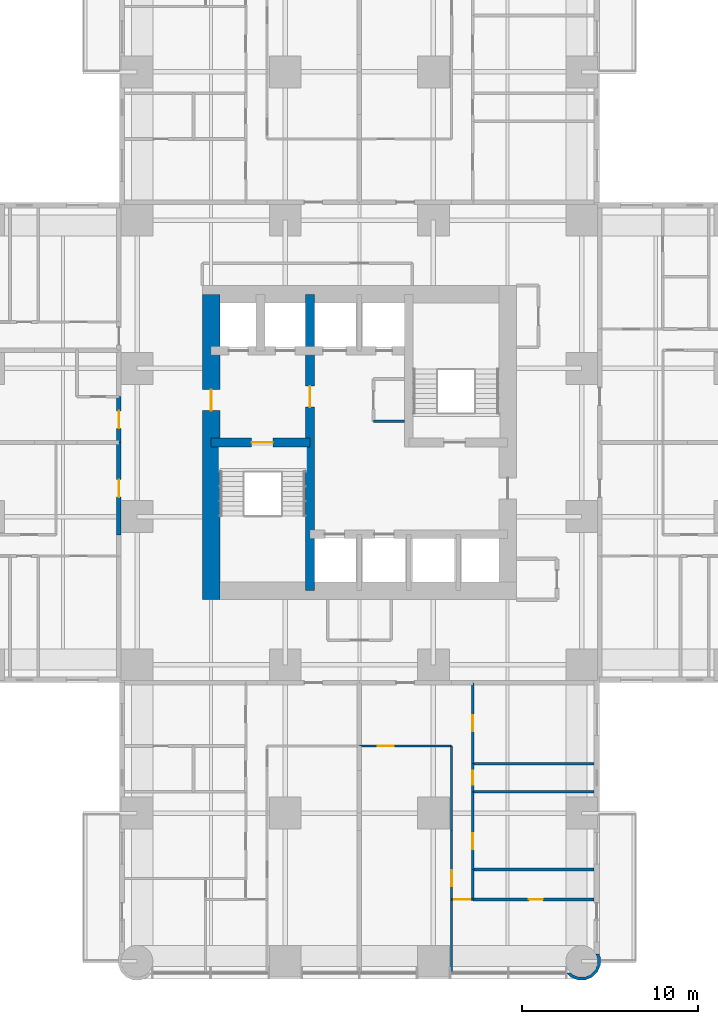
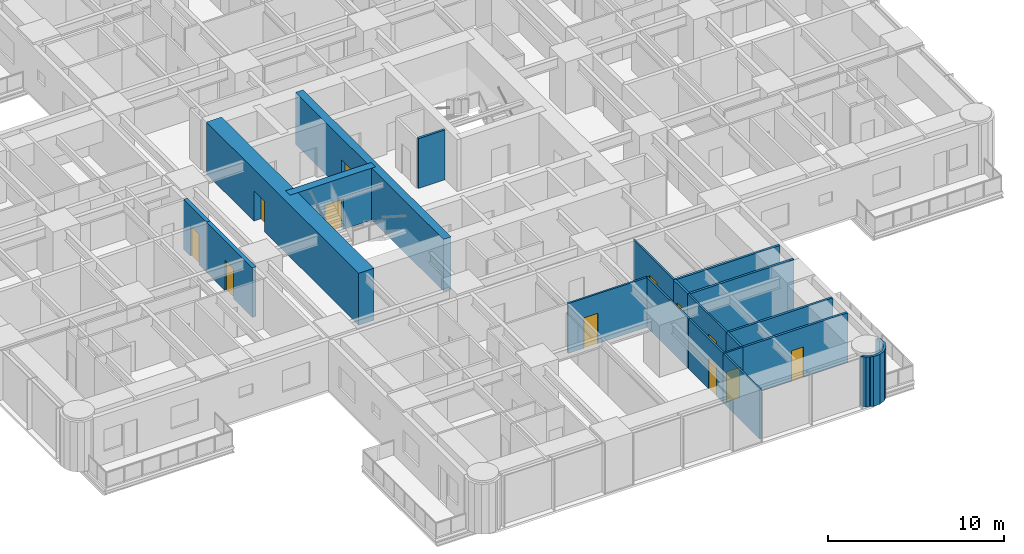
# One storey, part 9 of 17: 20 walls, 12 doors, 12 openings.
"""IFC4 building model written with IfcOpenShell, lengths in metres."""

from ifc_helpers import new_model, si_unit, direction, frame, frame_2d, origin, place, context, subcontext, project, spatial, polyline, rectangle, outline, extrude, material, layer, layer_set, type_object, element, fill, save


model = new_model("IFC4")

# Units and contexts
model_context = context("Model", 3, precision=1e-05, world=origin(), true_north=direction((0.0, 1.0)))
body_context = subcontext(model_context, "Body", "Model", "MODEL_VIEW")
ifc_project = project(units=[si_unit("LENGTHUNIT", "METRE"), si_unit("AREAUNIT", "SQUARE_METRE"), si_unit("VOLUMEUNIT", "CUBIC_METRE"), si_unit("PLANEANGLEUNIT", "RADIAN"), si_unit("MASSUNIT", "GRAM", prefix="KILO")], contexts=[model_context])

# Site, building, storey
site_placement = place(None, origin())
site = spatial("IfcSite", under=ifc_project, at=site_placement, CompositionType="ELEMENT")
building_placement = place(site_placement, origin())
building = spatial("IfcBuilding", under=site, at=building_placement, Name="Torre Alcanfor", CompositionType="ELEMENT")
storey_placement = place(building_placement, frame((0.0, 0.0, 45.300048828125)))
storey = spatial("IfcBuildingStorey", under=building, at=storey_placement, Name="L10", CompositionType="ELEMENT", Elevation=45.300048828125)

# Wall, opening, door
ifc_material_1 = material(Name="Concrete block masonry, hollow blocks NMX-C-404 9 MPa", Category="masonry")
ifc_layer_1 = layer(ifc_material_1, 0.25)
ifc_layer_set_1 = layer_set([ifc_layer_1], Name="Apartment entrance wall 250 EI 60")
wall_type_1 = type_object("IfcWallType", Name="Apartment entrance wall 250 EI 60", PredefinedType="PARTITIONING", material=ifc_layer_set_1)
wall_1_placement = place(storey_placement, frame((15.77490234375, 24.1708984375, 0.0), z_axis=(0.0, 0.0, 1.0), x_axis=(0.0, 1.0, 0.0)))
wall_1 = element("IfcWall", 1, at=wall_1_placement, inside=storey, type_object=wall_type_1, Name="Partition L10-CORR / L10-W1-ZAG", PredefinedType="PARTITIONING", context=body_context, shape_type="SweptSolid", body=[
    extrude(rectangle(XDim=5.22900390625, YDim=0.25, at=frame_2d((2.614501953125, 0.0))), origin(), (0.0, 0.0, 1.0), 3.449951171875),
])
opening_1_placement = place(wall_1_placement, frame((2.12890625, 0.0, 0.0)))
opening_1 = element("IfcOpeningElement", 2, at=opening_1_placement, cuts=wall_1, Name="Opening D-A1", PredefinedType="OPENING", context=body_context, shape_type="SweptSolid", body=[
    extrude(rectangle(XDim=1.0, YDim=2.10009765625, at=frame_2d((0.5, 1.050048828125))), frame((0.0, 0.135009765625, 0.0), z_axis=(0.0, -1.0, 0.0), x_axis=(1.0, 0.0, 0.0)), (0.0, 0.0, 1.0), 0.27001953125),
])
ifc_material_2 = material(Name="Galvanised steel sheet ASTM A653", Category="steel")
door_type_1 = type_object("IfcDoorType", Name="Apartment entrance door FD60 1000x2100", OperationType="SINGLE_SWING_LEFT", PredefinedType="DOOR", material=ifc_material_2)
door_1_placement = place(opening_1_placement, origin())
door_1 = element("IfcDoor", 3, at=door_1_placement, inside=storey, type_object=door_type_1, Name="Apartment entrance L10-W1", OperationType="SINGLE_SWING_RIGHT", OverallHeight=2.10009765625, OverallWidth=1.0, PredefinedType="DOOR", context=body_context, shape_type="SweptSolid", body=[
    extrude(rectangle(XDim=1.0, YDim=2.10009765625, at=frame_2d((0.5, 1.050048828125))), frame((0.0, 0.02490234375, 0.0), z_axis=(0.0, -1.0, 0.0), x_axis=(1.0, 0.0, 0.0)), (0.0, 0.0, 1.0), 0.050048828125),
])
fill(opening_1, door_1)

wall_2_placement = place(storey_placement, frame((15.77490234375, 29.39990234375, 0.0), z_axis=(0.0, 0.0, 1.0), x_axis=(0.0, 1.0, 0.0)))
wall_2 = element("IfcWall", 4, at=wall_2_placement, inside=storey, type_object=wall_type_1, Name="Partition L10-CORR / L10-W2A-FOYER", PredefinedType="PARTITIONING", context=body_context, shape_type="SweptSolid", body=[
    extrude(rectangle(XDim=2.60009765625, YDim=0.25, at=frame_2d((1.300048828125, 0.0))), origin(), (0.0, 0.0, 1.0), 3.449951171875),
])
opening_2_placement = place(wall_2_placement, frame((0.800048828125, 0.0, 0.0)))
opening_2 = element("IfcOpeningElement", 5, at=opening_2_placement, cuts=wall_2, Name="Opening D-A1", PredefinedType="OPENING", context=body_context, shape_type="SweptSolid", body=[
    extrude(rectangle(XDim=1.0, YDim=2.10009765625, at=frame_2d((0.5, 1.050048828125))), frame((0.0, 0.135009765625, 0.0), z_axis=(0.0, -1.0, 0.0), x_axis=(1.0, 0.0, 0.0)), (0.0, 0.0, 1.0), 0.27001953125),
])
door_2_placement = place(opening_2_placement, origin())
door_2 = element("IfcDoor", 6, at=door_2_placement, inside=storey, type_object=door_type_1, Name="Apartment entrance L10-W2A", OperationType="SINGLE_SWING_LEFT", OverallHeight=2.10009765625, OverallWidth=1.0, PredefinedType="DOOR", context=body_context, shape_type="SweptSolid", body=[
    extrude(rectangle(XDim=1.0, YDim=2.10009765625, at=frame_2d((0.5, 1.050048828125))), frame((0.0, 0.02490234375, 0.0), z_axis=(0.0, -1.0, 0.0), x_axis=(1.0, 0.0, 0.0)), (0.0, 0.0, 1.0), 0.050048828125),
])
fill(opening_2, door_2)

ifc_material_3 = material(Name="Gypsum board on steel studs", Category="steel")
ifc_layer_2 = layer(ifc_material_3, 0.1201171875)
ifc_layer_set_2 = layer_set([ifc_layer_2], Name="Apartment partition 120")
wall_type_2 = type_object("IfcWallType", Name="Apartment partition 120", PredefinedType="PARTITIONING", material=ifc_layer_set_2)
wall_3_placement = place(storey_placement, frame((29.39990234375, 12.199951171875, 0.0), z_axis=(0.0, 0.0, 1.0), x_axis=(1.0, 0.0, 0.0)))
wall_3 = element("IfcWall", 7, at=wall_3_placement, inside=storey, type_object=wall_type_2, Name="Partition L10-S1-ZAG / L10-S1-KITCHEN", PredefinedType="PARTITIONING", context=body_context, shape_type="SweptSolid", body=[
    extrude(rectangle(XDim=5.22900390625, YDim=0.1201171875, at=frame_2d((2.614501953125, 0.0))), origin(), (0.0, 0.0, 1.0), 3.449951171875),
])
opening_3_placement = place(wall_3_placement, frame((1.050048828125, 0.0, 0.0)))
opening_3 = element("IfcOpeningElement", 8, at=opening_3_placement, cuts=wall_3, Name="Opening D-R1", PredefinedType="OPENING", context=body_context, shape_type="SweptSolid", body=[
    extrude(rectangle(XDim=0.89990234375, YDim=2.10009765625, at=frame_2d((0.449951171875, 1.050048828125))), frame((0.0, 0.070068359375, 0.0), z_axis=(0.0, -1.0, 0.0), x_axis=(1.0, 0.0, 0.0)), (0.0, 0.0, 1.0), 0.14013671875),
])
ifc_material_4 = material(Name="Timber", Category="wood")
door_type_2 = type_object("IfcDoorType", Name="Internal door 900x2100", OperationType="SINGLE_SWING_LEFT", PredefinedType="DOOR", material=ifc_material_4)
door_3_placement = place(opening_3_placement, frame((0.89990234375, 0.0, 0.0), z_axis=(0.0, 0.0, 1.0), x_axis=(-1.0, 0.0, 0.0)))
door_3 = element("IfcDoor", 9, at=door_3_placement, inside=storey, type_object=door_type_2, Name="Door L10-S1 kitchen", OperationType="SINGLE_SWING_RIGHT", OverallHeight=2.10009765625, OverallWidth=0.89990234375, PredefinedType="DOOR", context=body_context, shape_type="SweptSolid", body=[
    extrude(rectangle(XDim=0.89990234375, YDim=2.10009765625, at=frame_2d((0.449951171875, 1.050048828125))), frame((0.0, 0.025146484375, 0.0), z_axis=(0.0, -1.0, 0.0), x_axis=(1.0, 0.0, 0.0)), (0.0, 0.0, 1.0), 0.050048828125),
])
fill(opening_3, door_3)

# Wall
wall_4_placement = place(storey_placement, frame((34.62890625, 7.39990234375, 0.0), z_axis=(0.0, 0.0, 1.0), x_axis=(0.0, 1.0, 0.0)))
element("IfcWall", 10, at=wall_4_placement, inside=storey, type_object=wall_type_2, Name="Partition L10-S1-KITCHEN / L10-S1-HALL", PredefinedType="PARTITIONING", context=body_context, shape_type="SweptSolid", body=[
    extrude(rectangle(XDim=4.800048828125, YDim=0.1201171875, at=frame_2d((2.39990234375, 0.0))), origin(), (0.0, 0.0, 1.0), 3.449951171875),
])

# Wall, opening, door
wall_5_placement = place(storey_placement, frame((34.62890625, 3.5, 0.0), z_axis=(0.0, 0.0, 1.0), x_axis=(0.0, 1.0, 0.0)))
wall_5 = element("IfcWall", 11, at=wall_5_placement, inside=storey, type_object=wall_type_2, Name="Partition L10-S1-LIVING / L10-S1-HALL", PredefinedType="PARTITIONING", context=body_context, shape_type="SweptSolid", body=[
    extrude(rectangle(XDim=3.89990234375, YDim=0.1201171875, at=frame_2d((1.949951171875, 0.0))), origin(), (0.0, 0.0, 1.0), 3.449951171875),
])
opening_4_placement = place(wall_5_placement, frame((0.75, 0.0, 0.0)))
opening_4 = element("IfcOpeningElement", 12, at=opening_4_placement, cuts=wall_5, Name="Opening D-R1", PredefinedType="OPENING", context=body_context, shape_type="SweptSolid", body=[
    extrude(rectangle(XDim=0.89990234375, YDim=2.10009765625, at=frame_2d((0.449951171875, 1.050048828125))), frame((0.0, 0.070068359375, 0.0), z_axis=(0.0, -1.0, 0.0), x_axis=(1.0, 0.0, 0.0)), (0.0, 0.0, 1.0), 0.14013671875),
])
door_4_placement = place(opening_4_placement, origin())
door_4 = element("IfcDoor", 13, at=door_4_placement, inside=storey, type_object=door_type_2, Name="Door L10-S1 living", OperationType="SINGLE_SWING_RIGHT", OverallHeight=2.10009765625, OverallWidth=0.89990234375, PredefinedType="DOOR", context=body_context, shape_type="SweptSolid", body=[
    extrude(rectangle(XDim=0.89990234375, YDim=2.10009765625, at=frame_2d((0.449951171875, 1.050048828125))), frame((0.0, 0.02490234375, 0.0), z_axis=(0.0, -1.0, 0.0), x_axis=(1.0, 0.0, 0.0)), (0.0, 0.0, 1.0), 0.050048828125),
])
fill(opening_4, door_4)

# Wall
wall_6_placement = place(storey_placement, frame((34.62890625, -0.64990234375, 0.0), z_axis=(0.0, 0.0, 1.0), x_axis=(0.0, 1.0, 0.0)))
element("IfcWall", 14, at=wall_6_placement, inside=storey, type_object=wall_type_2, Name="Partition L10-S1-LIVING / L10-S1-MASTER", PredefinedType="PARTITIONING", context=body_context, shape_type="SweptSolid", body=[
    extrude(rectangle(XDim=4.14990234375, YDim=0.1201171875, at=frame_2d((2.074951171875, 0.0))), origin(), (0.0, 0.0, 1.0), 3.449951171875),
])

# Wall, opening, door
wall_7_placement = place(storey_placement, frame((35.8291015625, 11.199951171875, 0.0), z_axis=(0.0, 0.0, 1.0), x_axis=(0.0, 1.0, 0.0)))
wall_7 = element("IfcWall", 15, at=wall_7_placement, inside=storey, type_object=wall_type_2, Name="Partition L10-S1-HALL / L10-S1-BED3", PredefinedType="PARTITIONING", context=body_context, shape_type="SweptSolid", body=[
    extrude(rectangle(XDim=4.574951171875, YDim=0.1201171875, at=frame_2d((2.28759765625, 0.0))), origin(), (0.0, 0.0, 1.0), 3.449951171875),
])
opening_5_placement = place(wall_7_placement, frame((1.85009765625, 0.0, 0.0)))
opening_5 = element("IfcOpeningElement", 16, at=opening_5_placement, cuts=wall_7, Name="Opening D-R1", PredefinedType="OPENING", context=body_context, shape_type="SweptSolid", body=[
    extrude(rectangle(XDim=0.89990234375, YDim=2.10009765625, at=frame_2d((0.449951171875, 1.050048828125))), frame((0.0, 0.070068359375, 0.0), z_axis=(0.0, -1.0, 0.0), x_axis=(1.0, 0.0, 0.0)), (0.0, 0.0, 1.0), 0.14013671875),
])
door_5_placement = place(opening_5_placement, frame((0.89990234375, 0.0, 0.0), z_axis=(0.0, 0.0, 1.0), x_axis=(-1.0, 0.0, 0.0)))
door_5 = element("IfcDoor", 17, at=door_5_placement, inside=storey, type_object=door_type_2, Name="Door L10-S1 bed3", OperationType="SINGLE_SWING_LEFT", OverallHeight=2.10009765625, OverallWidth=0.89990234375, PredefinedType="DOOR", context=body_context, shape_type="SweptSolid", body=[
    extrude(rectangle(XDim=0.89990234375, YDim=2.10009765625, at=frame_2d((0.449951171875, 1.050048828125))), frame((0.0, 0.025146484375, 0.0), z_axis=(0.0, -1.0, 0.0), x_axis=(1.0, 0.0, 0.0)), (0.0, 0.0, 1.0), 0.050048828125),
])
fill(opening_5, door_5)

wall_8_placement = place(storey_placement, frame((35.8291015625, 5.199951171875, 0.0), z_axis=(0.0, 0.0, 1.0), x_axis=(0.0, 1.0, 0.0)))
wall_8 = element("IfcWall", 18, at=wall_8_placement, inside=storey, type_object=wall_type_2, Name="Partition L10-S1-HALL / L10-S1-BED2", PredefinedType="PARTITIONING", context=body_context, shape_type="SweptSolid", body=[
    extrude(rectangle(XDim=4.400146484375, YDim=0.1201171875, at=frame_2d((2.2001953125, 0.0))), origin(), (0.0, 0.0, 1.0), 3.449951171875),
])
opening_6_placement = place(wall_8_placement, frame((1.14990234375, 0.0, 0.0)))
opening_6 = element("IfcOpeningElement", 19, at=opening_6_placement, cuts=wall_8, Name="Opening D-R1", PredefinedType="OPENING", context=body_context, shape_type="SweptSolid", body=[
    extrude(rectangle(XDim=0.89990234375, YDim=2.10009765625, at=frame_2d((0.449951171875, 1.050048828125))), frame((0.0, 0.070068359375, 0.0), z_axis=(0.0, -1.0, 0.0), x_axis=(1.0, 0.0, 0.0)), (0.0, 0.0, 1.0), 0.14013671875),
])
door_6_placement = place(opening_6_placement, frame((0.89990234375, 0.0, 0.0), z_axis=(0.0, 0.0, 1.0), x_axis=(-1.0, 0.0, 0.0)))
door_6 = element("IfcDoor", 20, at=door_6_placement, inside=storey, type_object=door_type_2, Name="Door L10-S1 bed2", OperationType="SINGLE_SWING_RIGHT", OverallHeight=2.10009765625, OverallWidth=0.89990234375, PredefinedType="DOOR", context=body_context, shape_type="SweptSolid", body=[
    extrude(rectangle(XDim=0.89990234375, YDim=2.10009765625, at=frame_2d((0.449951171875, 1.050048828125))), frame((0.0, 0.025146484375, 0.0), z_axis=(0.0, -1.0, 0.0), x_axis=(1.0, 0.0, 0.0)), (0.0, 0.0, 1.0), 0.050048828125),
])
fill(opening_6, door_6)

wall_9_placement = place(storey_placement, frame((34.62890625, 3.5, 0.0), z_axis=(0.0, 0.0, 1.0), x_axis=(1.0, 0.0, 0.0)))
wall_9 = element("IfcWall", 21, at=wall_9_placement, inside=storey, type_object=wall_type_2, Name="Partition L10-S1-HALL / L10-S1-MASTER", PredefinedType="PARTITIONING", context=body_context, shape_type="SweptSolid", body=[
    extrude(rectangle(XDim=1.2001953125, YDim=0.1201171875, at=frame_2d((0.60009765625, 0.0))), origin(), (0.0, 0.0, 1.0), 3.449951171875),
])
opening_7_placement = place(wall_9_placement, frame((0.15087890625, 0.0, 0.0)))
opening_7 = element("IfcOpeningElement", 22, at=opening_7_placement, cuts=wall_9, Name="Opening D-R1", PredefinedType="OPENING", context=body_context, shape_type="SweptSolid", body=[
    extrude(rectangle(XDim=0.89990234375, YDim=2.10009765625, at=frame_2d((0.449951171875, 1.050048828125))), frame((0.0, 0.070068359375, 0.0), z_axis=(0.0, -1.0, 0.0), x_axis=(1.0, 0.0, 0.0)), (0.0, 0.0, 1.0), 0.14013671875),
])
door_7_placement = place(opening_7_placement, frame((0.89990234375, 0.0, 0.0), z_axis=(0.0, 0.0, 1.0), x_axis=(-1.0, 0.0, 0.0)))
door_7 = element("IfcDoor", 23, at=door_7_placement, inside=storey, type_object=door_type_2, Name="Door L10-S1 master", OperationType="SINGLE_SWING_RIGHT", OverallHeight=2.10009765625, OverallWidth=0.89990234375, PredefinedType="DOOR", context=body_context, shape_type="SweptSolid", body=[
    extrude(rectangle(XDim=0.89990234375, YDim=2.10009765625, at=frame_2d((0.449951171875, 1.050048828125))), frame((0.0, 0.025146484375, 0.0), z_axis=(0.0, -1.0, 0.0), x_axis=(1.0, 0.0, 0.0)), (0.0, 0.0, 1.0), 0.050048828125),
])
fill(opening_7, door_7)

ifc_material_5 = material(Name="Concrete f'c 70 MPa", Category="concrete")
ifc_layer_3 = layer(ifc_material_5, 0.5)
ifc_layer_set_3 = layer_set([ifc_layer_3], Name="Core inner wall 500 f'c70")
wall_type_3 = type_object("IfcWallType", Name="Core inner wall 500 f'c70", PredefinedType="SHEAR", material=ifc_layer_set_3)
wall_10_placement = place(storey_placement, frame((26.60009765625, 21.0, 0.0), z_axis=(0.0, 0.0, 1.0), x_axis=(0.0, 1.0, 0.0)))
wall_10 = element("IfcWall", 24, at=wall_10_placement, inside=storey, type_object=wall_type_3, Name="Core wall X266 L10", PredefinedType="SHEAR", context=body_context, shape_type="SweptSolid", body=[
    extrude(rectangle(XDim=16.800048828125, YDim=0.5, at=frame_2d((8.39990234375, 0.0))), origin(), (0.0, 0.0, 1.0), 3.599853515625),
])
opening_8_placement = place(wall_10_placement, frame((10.39990234375, 0.0, 0.0)))
opening_8 = element("IfcOpeningElement", 25, at=opening_8_placement, cuts=wall_10, Name="Opening D-L1", PredefinedType="OPENING", context=body_context, shape_type="SweptSolid", body=[
    extrude(rectangle(XDim=1.199951171875, YDim=2.10009765625, at=frame_2d((0.60009765625, 1.050048828125))), frame((0.0, 0.260009765625, 0.0), z_axis=(0.0, -1.0, 0.0), x_axis=(1.0, 0.0, 0.0)), (0.0, 0.0, 1.0), 0.52001953125),
])
ifc_material_6 = material(Name="Galvanised steel sheet ASTM A653", Category="steel")
door_type_3 = type_object("IfcDoorType", Name="Lobby door FD120 1200x2100", OperationType="SINGLE_SWING_LEFT", PredefinedType="DOOR", material=ifc_material_6)
door_8_placement = place(opening_8_placement, origin())
door_8 = element("IfcDoor", 26, at=door_8_placement, inside=storey, type_object=door_type_3, Name="Lift lobby door L10", OperationType="SINGLE_SWING_LEFT", OverallHeight=2.10009765625, OverallWidth=1.199951171875, PredefinedType="DOOR", context=body_context, shape_type="SweptSolid", body=[
    extrude(rectangle(XDim=1.199951171875, YDim=2.10009765625, at=frame_2d((0.60009765625, 1.050048828125))), frame((0.0, 0.02490234375, 0.0), z_axis=(0.0, -1.0, 0.0), x_axis=(1.0, 0.0, 0.0)), (0.0, 0.0, 1.0), 0.050048828125),
])
fill(opening_8, door_8)

wall_11_placement = place(storey_placement, frame((21.0, 29.39990234375, 0.0), z_axis=(0.0, 0.0, 1.0), x_axis=(1.0, 0.0, 0.0)))
wall_11 = element("IfcWall", 27, at=wall_11_placement, inside=storey, type_object=wall_type_3, Name="Core wall Y294W L10", PredefinedType="SHEAR", context=body_context, shape_type="SweptSolid", body=[
    extrude(rectangle(XDim=5.60009765625, YDim=0.5, at=frame_2d((2.800048828125, 0.0))), origin(), (0.0, 0.0, 1.0), 3.599853515625),
])
opening_9_placement = place(wall_11_placement, frame((2.300048828125, 0.0, 0.0)))
opening_9 = element("IfcOpeningElement", 28, at=opening_9_placement, cuts=wall_11, Name="Opening D-S2", PredefinedType="OPENING", context=body_context, shape_type="SweptSolid", body=[
    extrude(rectangle(XDim=1.199951171875, YDim=2.10009765625, at=frame_2d((0.60009765625, 1.050048828125))), frame((0.0, 0.260009765625, 0.0), z_axis=(0.0, -1.0, 0.0), x_axis=(1.0, 0.0, 0.0)), (0.0, 0.0, 1.0), 0.52001953125),
])
ifc_material_7 = material(Name="Galvanised steel sheet ASTM A653", Category="steel")
door_type_4 = type_object("IfcDoorType", Name="Stair enclosure door FD120 1200x2100", OperationType="SINGLE_SWING_LEFT", PredefinedType="DOOR", material=ifc_material_7)
door_9_placement = place(opening_9_placement, frame((1.199951171875, 0.0, 0.0), z_axis=(0.0, 0.0, 1.0), x_axis=(-1.0, 0.0, 0.0)))
door_9 = element("IfcDoor", 29, at=door_9_placement, inside=storey, type_object=door_type_4, Name="Stair S1 door L10", OperationType="SINGLE_SWING_LEFT", OverallHeight=2.10009765625, OverallWidth=1.199951171875, PredefinedType="DOOR", context=body_context, shape_type="SweptSolid", body=[
    extrude(rectangle(XDim=1.199951171875, YDim=2.10009765625, at=frame_2d((0.599853515625, 1.050048828125))), frame((0.0, 0.025146484375, 0.0), z_axis=(0.0, -1.0, 0.0), x_axis=(1.0, 0.0, 0.0)), (0.0, 0.0, 1.0), 0.050048828125),
])
fill(opening_9, door_9)

ifc_material_8 = material(Name="Concrete f'c 70 MPa", Category="concrete")
ifc_layer_4 = layer(ifc_material_8, 1.0)
ifc_layer_set_4 = layer_set([ifc_layer_4], Name="Core wall 1000 f'c70")
wall_type_4 = type_object("IfcWallType", Name="Core wall 1000 f'c70", PredefinedType="SHEAR", material=ifc_layer_set_4)
wall_12_placement = place(storey_placement, frame((21.0, 37.800048828125, 0.0), z_axis=(0.0, 0.0, 1.0), x_axis=(0.0, -1.0, 0.0)))
wall_12 = element("IfcWall", 30, at=wall_12_placement, inside=storey, type_object=wall_type_4, Name="Core wall OUT-W L10", PredefinedType="SHEAR", context=body_context, shape_type="SweptSolid", body=[
    extrude(rectangle(XDim=17.300048828125, YDim=1.0, at=frame_2d((8.64990234375, 0.0))), origin(), (0.0, 0.0, 1.0), 3.599853515625),
])
opening_10_placement = place(wall_12_placement, frame((5.39990234375, 0.0, 0.0)))
opening_10 = element("IfcOpeningElement", 31, at=opening_10_placement, cuts=wall_12, Name="Opening D-L1", PredefinedType="OPENING", context=body_context, shape_type="SweptSolid", body=[
    extrude(rectangle(XDim=1.199951171875, YDim=2.10009765625, at=frame_2d((0.60009765625, 1.050048828125))), frame((0.0, 0.510009765625, 0.0), z_axis=(0.0, -1.0, 0.0), x_axis=(1.0, 0.0, 0.0)), (0.0, 0.0, 1.0), 1.02001953125),
])
door_10_placement = place(opening_10_placement, origin())
door_10 = element("IfcDoor", 32, at=door_10_placement, inside=storey, type_object=door_type_3, Name="Firefighting lobby door L10", OperationType="SINGLE_SWING_LEFT", OverallHeight=2.10009765625, OverallWidth=1.199951171875, PredefinedType="DOOR", context=body_context, shape_type="SweptSolid", body=[
    extrude(rectangle(XDim=1.199951171875, YDim=2.10009765625, at=frame_2d((0.60009765625, 1.050048828125))), frame((0.0, 0.02490234375, 0.0), z_axis=(0.0, -1.0, 0.0), x_axis=(1.0, 0.0, 0.0)), (0.0, 0.0, 1.0), 0.050048828125),
])
fill(opening_10, door_10)

# Walls
ifc_material_9 = material(Name="Concrete block masonry, hollow blocks NMX-C-404 9 MPa", Category="masonry")
ifc_layer_5 = layer(ifc_material_9, 0.14990234375)
ifc_layer_set_5 = layer_set([ifc_layer_5], Name="Residents' room partition 150")
wall_type_5 = type_object("IfcWallType", Name="Residents' room partition 150", PredefinedType="PARTITIONING", material=ifc_layer_set_5)
wall_13_placement = place(storey_placement, frame((31.949951171875, 30.60009765625, 0.0), z_axis=(0.0, 0.0, 1.0), x_axis=(-1.0, 0.0, 0.0)))
element("IfcWall", 33, at=wall_13_placement, inside=storey, type_object=wall_type_5, Name="Partition L10-LL / L10-CR1", PredefinedType="PARTITIONING", context=body_context, shape_type="SweptSolid", body=[
    extrude(rectangle(XDim=1.75, YDim=0.14990234375, at=frame_2d((0.875, 0.0))), origin(), (0.0, 0.0, 1.0), 3.449951171875),
])
ifc_material_10 = material(Name="Limestone cladding", Category="masonry")
ifc_layer_6 = layer(ifc_material_10, 0.0400390625, Name="Facing")
ifc_material_11 = material(Name="Ventilated air cavity")
ifc_layer_7 = layer(ifc_material_11, 0.02001953125, ventilated=True, Name="Ventilated joint")
ifc_material_12 = material(Name="Mineral wool insulation", Category="insulation")
ifc_layer_8 = layer(ifc_material_12, 0.10009765625, Name="Insulation")
ifc_material_13 = material(Name="Concrete f'c 35 MPa", Category="concrete")
ifc_layer_9 = layer(ifc_material_13, 0.139892578125, Name="Backing")
ifc_layer_set_6 = layer_set([ifc_layer_6, ifc_layer_7, ifc_layer_8, ifc_layer_9], Name="Rounded corner pier stone-clad 300")
wall_type_6 = type_object("IfcWallType", Name="Rounded corner pier stone-clad 300", PredefinedType="SOLIDWALL", material=ifc_layer_set_6)
wall_14_placement = place(storey_placement, frame((41.23340608, -0.610519256, 0.0), z_axis=(0.0, 0.0, 1.0), x_axis=(0.377204953059, -0.926129809145, 0.0)))
element("IfcWall", 34, at=wall_14_placement, inside=storey, type_object=wall_type_6, Name="Corner pier L10 16", PredefinedType="SOLIDWALL", context=body_context, shape_type="SweptSolid", body=[
    extrude(outline(polyline([(0.31873169437185855, 1.8425336525024494), (-0.07152710704046505, 2.001482809968314), (-0.24009471588869835, 2.0005449414227563), (-0.26941358666453996, 2.017231322070639), (-0.37003424962124987, 1.840731870737274), (-0.10240281114565264, 1.842182010528029), (0.22952066537421467, 1.7069923447343507), (0.48468330510664415, 1.4551793700683648), (0.6237907271323827, 1.1248909220292227), (0.6256685839754508, 0.7664021208386822), (0.49047891818177247, 0.4344786443188148), (0.23866594351578668, 0.1793160045863853), (0.09016005264750862, 0.11695717207098313), (0.01086965602056237, -0.07772001681430692), (0.024436010646714988, -0.08324547999388505), (0.3295868985749782, 0.04527476829386376), (0.48015223740573765, 0.19747796194128653), (0.49902760591309464, 0.19268993376963664), (0.5075741737852856, 0.2253240824532252), (0.6260202259498713, 0.3452676153211709), (0.7849693834157356, 0.7355264167334946), (0.7824906971943995, 1.1572636358175066), (0.6187245413991658, 1.5461003251275562), (0.31873169437185855, 1.8425336525024494)])), origin(), (0.0, 0.0, 1.0), 3.449951171875),
])

# Wall, opening, door
ifc_material_14 = material(Name="Cement board on steel studs", Category="steel")
ifc_layer_10 = layer(ifc_material_14, 0.14990234375)
ifc_layer_set_7 = layer_set([ifc_layer_10], Name="Wet area partition 150")
wall_type_7 = type_object("IfcWallType", Name="Wet area partition 150", PredefinedType="PARTITIONING", material=ifc_layer_set_7)
wall_15_placement = place(storey_placement, frame((35.8291015625, 9.60009765625, 0.0), z_axis=(0.0, 0.0, 1.0), x_axis=(0.0, 1.0, 0.0)))
wall_15 = element("IfcWall", 35, at=wall_15_placement, inside=storey, type_object=wall_type_7, Name="Partition L10-S1-HALL / L10-S1-BATH1", PredefinedType="PARTITIONING", context=body_context, shape_type="SweptSolid", body=[
    extrude(rectangle(XDim=1.599853515625, YDim=0.14990234375, at=frame_2d((0.7998046875, 0.0))), origin(), (0.0, 0.0, 1.0), 3.449951171875),
])
opening_11_placement = place(wall_15_placement, frame((0.39990234375, 0.0, 0.0)))
opening_11 = element("IfcOpeningElement", 36, at=opening_11_placement, cuts=wall_15, Name="Opening D-R2", PredefinedType="OPENING", context=body_context, shape_type="SweptSolid", body=[
    extrude(rectangle(XDim=0.800048828125, YDim=2.10009765625, at=frame_2d((0.39990234375, 1.050048828125))), frame((0.0, 0.0849609375, 0.0), z_axis=(0.0, -1.0, 0.0), x_axis=(1.0, 0.0, 0.0)), (0.0, 0.0, 1.0), 0.169921875),
])
ifc_material_15 = material(Name="Timber", Category="wood")
door_type_5 = type_object("IfcDoorType", Name="Bathroom door 800x2100", OperationType="SINGLE_SWING_LEFT", PredefinedType="DOOR", material=ifc_material_15)
door_11_placement = place(opening_11_placement, frame((0.800048828125, 0.0, 0.0), z_axis=(0.0, 0.0, 1.0), x_axis=(-1.0, 0.0, 0.0)))
door_11 = element("IfcDoor", 37, at=door_11_placement, inside=storey, type_object=door_type_5, Name="Door L10-S1 bath1", OperationType="SINGLE_SWING_RIGHT", OverallHeight=2.10009765625, OverallWidth=0.800048828125, PredefinedType="DOOR", context=body_context, shape_type="SweptSolid", body=[
    extrude(rectangle(XDim=0.800048828125, YDim=2.10009765625, at=frame_2d((0.400146484375, 1.050048828125))), frame((0.0, 0.025146484375, 0.0), z_axis=(0.0, -1.0, 0.0), x_axis=(1.0, 0.0, 0.0)), (0.0, 0.0, 1.0), 0.050048828125),
])
fill(opening_11, door_11)

# Walls
wall_16_placement = place(storey_placement, frame((35.8291015625, 3.5, 0.0), z_axis=(0.0, 0.0, 1.0), x_axis=(0.0, 1.0, 0.0)))
element("IfcWall", 38, at=wall_16_placement, inside=storey, type_object=wall_type_7, Name="Partition L10-S1-HALL / L10-S1-ENSBATH", PredefinedType="PARTITIONING", context=body_context, shape_type="SweptSolid", body=[
    extrude(rectangle(XDim=1.699951171875, YDim=0.14990234375, at=frame_2d((0.85009765625, 0.0))), origin(), (0.0, 0.0, 1.0), 3.449951171875),
])
for number, where, z_axis, x_axis, name in (
    (39, (35.8291015625, 11.199951171875, 0.0), (0.0, 0.0, 1.0), (1.0, 0.0, 0.0), "Partition L10-S1-BED3 / L10-S1-BATH1"),
    (40, (35.8291015625, 9.60009765625, 0.0), (0.0, 0.0, 1.0), (1.0, 0.0, 0.0), "Partition L10-S1-BATH1 / L10-S1-BED2"),
    (41, (35.8291015625, 5.199951171875, 0.0), (0.0, 0.0, 1.0), (1.0, 0.0, 0.0), "Partition L10-S1-BED2 / L10-S1-ENSBATH"),
):
    element("IfcWall", number, at=place(storey_placement, frame(where, z_axis=z_axis, x_axis=x_axis)), inside=storey, type_object=wall_type_7, Name=name, PredefinedType="PARTITIONING", context=body_context, shape_type="SweptSolid", body=[
        extrude(rectangle(XDim=6.870849609375, YDim=0.14990234375, at=frame_2d((3.435546875, 0.0))), origin(), (0.0, 0.0, 1.0), 3.449951171875),
    ])

# Wall, opening, door
wall_17_placement = place(storey_placement, frame((35.8291015625, 3.5, 0.0), z_axis=(0.0, 0.0, 1.0), x_axis=(1.0, 0.0, 0.0)))
wall_17 = element("IfcWall", 42, at=wall_17_placement, inside=storey, type_object=wall_type_7, Name="Partition L10-S1-ENSBATH / L10-S1-MASTER", PredefinedType="PARTITIONING", context=body_context, shape_type="SweptSolid", body=[
    extrude(rectangle(XDim=6.870849609375, YDim=0.14990234375, at=frame_2d((3.435546875, 0.0))), origin(), (0.0, 0.0, 1.0), 3.449951171875),
])
opening_12_placement = place(wall_17_placement, frame((3.1708984375, 0.0, 0.0)))
opening_12 = element("IfcOpeningElement", 43, at=opening_12_placement, cuts=wall_17, Name="Opening D-R2", PredefinedType="OPENING", context=body_context, shape_type="SweptSolid", body=[
    extrude(rectangle(XDim=0.800048828125, YDim=2.10009765625, at=frame_2d((0.39990234375, 1.050048828125))), frame((0.0, 0.0849609375, 0.0), z_axis=(0.0, -1.0, 0.0), x_axis=(1.0, 0.0, 0.0)), (0.0, 0.0, 1.0), 0.169921875),
])
door_12_placement = place(opening_12_placement, origin())
door_12 = element("IfcDoor", 44, at=door_12_placement, inside=storey, type_object=door_type_5, Name="Door L10-S1 ensbath", OperationType="SINGLE_SWING_RIGHT", OverallHeight=2.10009765625, OverallWidth=0.800048828125, PredefinedType="DOOR", context=body_context, shape_type="SweptSolid", body=[
    extrude(rectangle(XDim=0.800048828125, YDim=2.10009765625, at=frame_2d((0.39990234375, 1.050048828125))), frame((0.0, 0.02490234375, 0.0), z_axis=(0.0, -1.0, 0.0), x_axis=(1.0, 0.0, 0.0)), (0.0, 0.0, 1.0), 0.050048828125),
])
fill(opening_12, door_12)

save(model, "model.ifc")
